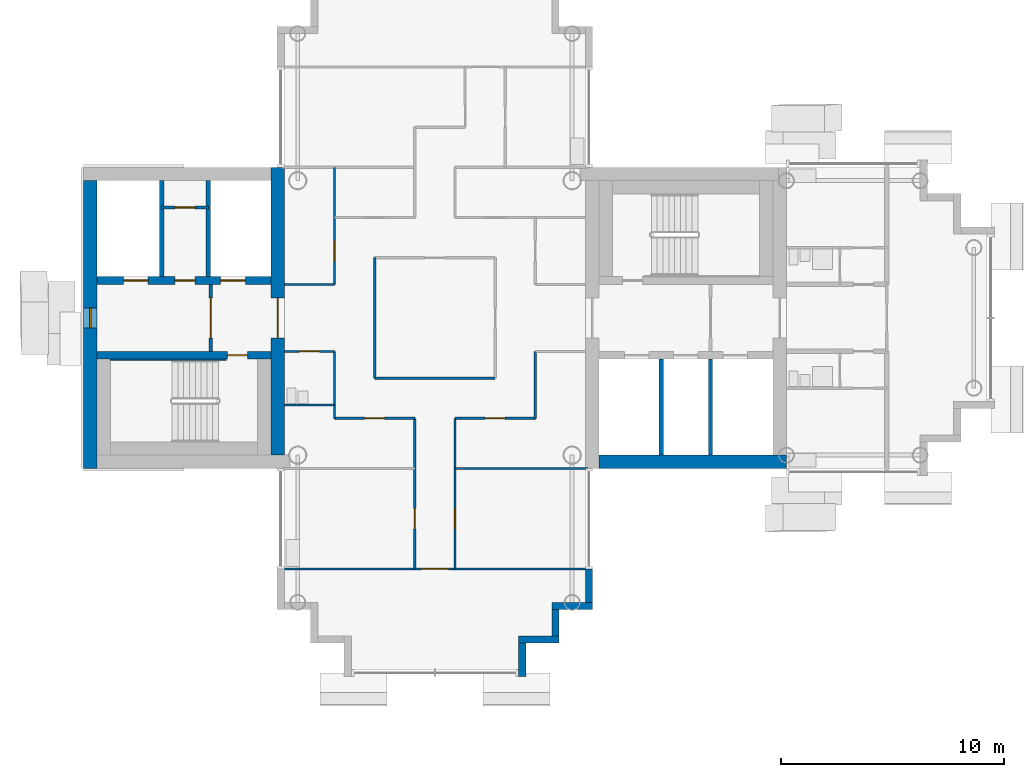
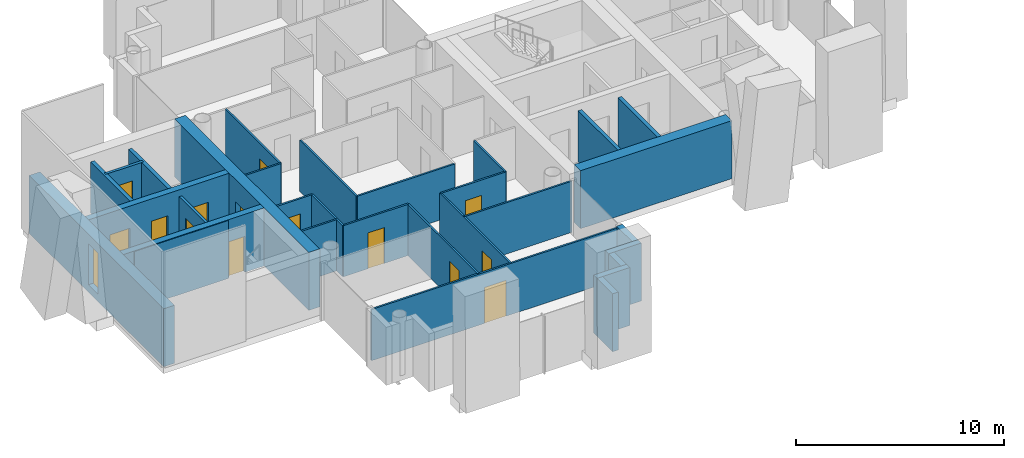
# One storey, part 6 of 18: 31 walls, 14 doors, 1 window, 15 openings.
"""IFC4 building model written with IfcOpenShell, lengths in metres."""

import ifcopenshell
import ifcopenshell.guid

model = None  # the IFC model being written
_history = None  # IfcOwnerHistory: only IFC2X3 demands one
_inside = {}  # id of a spatial element -> (the spatial element, [elements in it])
_under = {}  # id of a project, library or spatial element -> (it, [spatial elements below it])
_declared = {}  # id of a project -> (the project, [libraries it declares])
_typed = {}  # id of a type object -> (the type object, [elements of that type])
_made_of = {}  # id of a material, layer set ... -> (it, [elements and type objects made of it])


def new_model(schema):
    """Start an empty IFC model of exactly this schema.

    Asked for "IFC4X3", IfcOpenShell would pick the latest addendum, in which some entities
    have other attributes; the version numbers below select the first issue.
    IFC2X3 requires an IfcOwnerHistory on every rooted entity: one is made here for all.
    """
    global model, _history
    if schema == "IFC4X3":
        model = ifcopenshell.file(schema_version=(4, 3, 0, 0))
    else:
        model = ifcopenshell.file(schema=schema)
    _inside.clear()
    _under.clear()
    _declared.clear()
    _typed.clear()
    _made_of.clear()
    _history = None
    if model.schema == "IFC2X3":
        org = make("IfcOrganization", Name="unknown")
        user = make(
            "IfcPersonAndOrganization",
            ThePerson=make("IfcPerson", FamilyName="unknown"),
            TheOrganization=org,
        )
        app = make(
            "IfcApplication",
            ApplicationDeveloper=org,
            Version="unknown",
            ApplicationFullName="unknown",
            ApplicationIdentifier="unknown",
        )
        _history = make(
            "IfcOwnerHistory",
            OwningUser=user,
            OwningApplication=app,
            ChangeAction="ADDED",
            CreationDate=0,
        )
    return model


def make(cls, **values):
    """One entity of the class cls with the attributes given. An attribute that is None is left unset."""
    return model.create_entity(
        cls, **{name: value for name, value in values.items() if value is not None}
    )


def rooted(cls, **values):
    """An entity with a GlobalId (a new one), such as an element, a storey or a relation."""
    return make(cls, GlobalId=ifcopenshell.guid.new(), OwnerHistory=_history, **values)


def si_unit(unit_type, name, prefix=None):
    """IfcSIUnit, for example si_unit("LENGTHUNIT", "METRE", prefix="MILLI")."""
    return make("IfcSIUnit", UnitType=unit_type, Prefix=prefix, Name=name)


def assignment(units):
    """IfcUnitAssignment: the units of a project."""
    return None if units is None else make("IfcUnitAssignment", Units=units)


def point(xyz):
    """IfcCartesianPoint."""
    return None if xyz is None else make("IfcCartesianPoint", Coordinates=xyz)


def direction(xyz):
    """IfcDirection."""
    return None if xyz is None else make("IfcDirection", DirectionRatios=xyz)


def frame(location, z_axis=None, x_axis=None):
    """IfcAxis2Placement3D, a coordinate frame: its origin and axes. An axis left out is left unset."""
    return make(
        "IfcAxis2Placement3D",
        Location=point(location),
        Axis=direction(z_axis),
        RefDirection=direction(x_axis),
    )


def frame_2d(location, x_axis=None):
    """IfcAxis2Placement2D, a coordinate frame in the plane: its origin and x axis."""
    return make(
        "IfcAxis2Placement2D", Location=point(location), RefDirection=direction(x_axis)
    )


def origin():
    """The frame at (0, 0, 0) with its axes left unset."""
    return frame((0.0, 0.0, 0.0))


def place(relative_to, where):
    """IfcLocalPlacement: puts the frame where relative to a parent placement (None: the world)."""
    return make(
        "IfcLocalPlacement", PlacementRelTo=relative_to, RelativePlacement=where
    )


def context(
    kind, dimensions, precision=None, world=None, true_north=None, identifier=None
):
    """IfcGeometricRepresentationContext, for example the 3D "Model" context."""
    return make(
        "IfcGeometricRepresentationContext",
        ContextIdentifier=identifier,
        ContextType=kind,
        CoordinateSpaceDimension=dimensions,
        Precision=precision,
        WorldCoordinateSystem=world,
        TrueNorth=true_north,
    )


def subcontext(parent, identifier, kind, view, scale=None):
    """IfcGeometricRepresentationSubContext, for example "Body" below "Model"."""
    return make(
        "IfcGeometricRepresentationSubContext",
        ContextIdentifier=identifier,
        ContextType=kind,
        ParentContext=parent,
        TargetScale=scale,
        TargetView=view,
    )


def project(units=None, contexts=None):
    """IfcProject with its units and contexts."""
    return rooted(
        "IfcProject",
        Name="project",
        RepresentationContexts=contexts,
        UnitsInContext=assignment(units),
    )


def spatial(cls, under=None, at=None, **own):
    """A site, building, storey or space (cls), placed at a placement, below another one or the project."""
    s = rooted(cls, ObjectPlacement=at, **own)
    if under is not None:
        _under.setdefault(under.id(), (under, []))[1].append(s)
    return s


def profile(cls, at=None, kind="AREA", **sizes):
    """A parametric profile (cls). Its sizes go by their IFC names, for example OverallWidth=200.0."""
    return make(cls, ProfileType=kind, Position=at, **sizes)


def rectangle(**sizes):
    """IfcRectangleProfileDef."""
    return profile("IfcRectangleProfileDef", **sizes)


def extrude(swept, where, along, depth):
    """IfcExtrudedAreaSolid: the profile swept, set in the frame where, extruded along a direction by depth."""
    return make(
        "IfcExtrudedAreaSolid",
        SweptArea=swept,
        Position=where,
        ExtrudedDirection=direction(along),
        Depth=depth,
    )


def shape(context_of_items, identifier, shape_type, items):
    """IfcShapeRepresentation: the items that make up one representation, for example the "Body"."""
    return make(
        "IfcShapeRepresentation",
        ContextOfItems=context_of_items,
        RepresentationIdentifier=identifier,
        RepresentationType=shape_type,
        Items=items,
    )


def material(Name=None, Category=None):
    """IfcMaterial."""
    return make("IfcMaterial", Name=Name, Category=Category)


def layer(
    of_material, thickness, ventilated=None, Name=None, Category=None, Priority=None
):
    """IfcMaterialLayer: one layer of a wall or slab, of a material (None: an air gap)."""
    return make(
        "IfcMaterialLayer",
        Material=of_material,
        LayerThickness=thickness,
        IsVentilated=ventilated,
        Name=Name,
        Category=Category,
        Priority=Priority,
    )


def layer_set(layers, Name=None):
    """IfcMaterialLayerSet."""
    return make("IfcMaterialLayerSet", MaterialLayers=layers, LayerSetName=Name)


def made_of(thing, what):
    """Note that an element or type object is made of a material, layer set ...; save() writes the relation."""
    if what is not None:
        _made_of.setdefault(what.id(), (what, []))[1].append(thing)
    return thing


def type_object(cls, material=None, **own):
    """A type object (cls), such as IfcWallType, which elements share."""
    return made_of(rooted(cls, **own), material)


def element(
    cls,
    number,
    at=None,
    inside=None,
    cuts=None,
    type_object=None,
    material=None,
    context=None,
    identifier="Body",
    shape_type=None,
    held_by="IfcProductDefinitionShape",
    body=None,
    shapes=None,
    **own,
):
    """One element of the class cls, such as IfcWall. Its Tag is "e" and its number.

    at: its placement. inside: the storey or other place that contains it. cuts: it is an
    opening in that element (IfcRelVoidsElement). A single representation is given by context,
    identifier, shape_type and body (its items); several are given by shapes. held_by: the class
    of the entity that holds the representations. save() writes the other relations.
    """
    e = rooted(cls, Tag="e%d" % number, ObjectPlacement=at, **own)
    if body is not None:
        shapes = [shape(context, identifier, shape_type, body)]
    if shapes is not None:
        e.Representation = make(held_by, Representations=shapes)
    if inside is not None:
        _inside.setdefault(inside.id(), (inside, []))[1].append(e)
    if cuts is not None:
        rooted(
            "IfcRelVoidsElement", RelatingBuildingElement=cuts, RelatedOpeningElement=e
        )
    if type_object is not None:
        _typed.setdefault(type_object.id(), (type_object, []))[1].append(e)
    return made_of(e, material)


def fill(opening, filler):
    """IfcRelFillsElement: the door or window that sits in an opening."""
    return rooted(
        "IfcRelFillsElement",
        RelatingOpeningElement=opening,
        RelatedBuildingElement=filler,
    )


def aggregate(whole, parts):
    """IfcRelAggregates: a whole, such as a stair, and the parts it consists of."""
    return rooted("IfcRelAggregates", RelatingObject=whole, RelatedObjects=parts)


def save(model, path):
    """Write the relations noted so far, then the file.

    IfcRelAggregates (storeys below a building ...), IfcRelContainedInSpatialStructure (elements
    in a storey), IfcRelDefinesByType, IfcRelAssociatesMaterial and IfcRelDeclares: one each for
    every whole, place, type object, material and project.
    """
    for whole, parts in _under.values():
        aggregate(whole, parts)
    for where, things in _inside.values():
        rooted(
            "IfcRelContainedInSpatialStructure",
            RelatedElements=things,
            RelatingStructure=where,
        )
    for kind, things in _typed.values():
        rooted("IfcRelDefinesByType", RelatedObjects=things, RelatingType=kind)
    for what, things in _made_of.values():
        rooted("IfcRelAssociatesMaterial", RelatedObjects=things, RelatingMaterial=what)
    for by, libraries in _declared.values():
        rooted("IfcRelDeclares", RelatingContext=by, RelatedDefinitions=libraries)
    model.write(path)


model = new_model("IFC4")

# Units and contexts
model_context = context("Model", 3, precision=1e-05, world=origin(), true_north=direction((0.0, 1.0)))
body_context = subcontext(model_context, "Body", "Model", "MODEL_VIEW")
ifc_project = project(units=[si_unit("LENGTHUNIT", "METRE"), si_unit("AREAUNIT", "SQUARE_METRE"), si_unit("VOLUMEUNIT", "CUBIC_METRE"), si_unit("PLANEANGLEUNIT", "RADIAN"), si_unit("MASSUNIT", "GRAM", prefix="KILO")], contexts=[model_context])

# Site, building, storey
site_placement = place(None, origin())
site = spatial("IfcSite", under=ifc_project, at=site_placement, CompositionType="ELEMENT")
building_placement = place(site_placement, origin())
building = spatial("IfcBuilding", under=site, at=building_placement, Name="Ipe Terrace Towers", CompositionType="ELEMENT")
storey_placement = place(building_placement, frame((0.0, 0.0, 202.800048828125)))
storey = spatial("IfcBuildingStorey", under=building, at=storey_placement, Name="L56", CompositionType="ELEMENT", Elevation=202.800048828125)

# Walls
ifc_material_1 = material(Name="Concrete C40/50 with buff precast cladding", Category="concrete")
ifc_layer_1 = layer(ifc_material_1, 0.320068359375)
ifc_layer_set_1 = layer_set([ifc_layer_1], Name="BUFF CLADDING WALL 320")
wall_type_1 = type_object("IfcWallType", Name="BUFF CLADDING WALL 320", PredefinedType="STANDARD", material=ifc_layer_set_1)
wall_1_placement = place(storey_placement, frame((-32.090087890625, -16.070068359375, -0.300048828125), z_axis=(0.0, 0.0, 1.0), x_axis=(0.0, 1.0, 0.0)))
element("IfcWall", 1, at=wall_1_placement, inside=storey, type_object=wall_type_1, Name="T1-W-L56-09a wall", PredefinedType="STANDARD", context=body_context, shape_type="SweptSolid", body=[
    extrude(rectangle(XDim=1.5, YDim=0.320068359375, at=frame_2d((0.75, 0.0))), origin(), (0.0, 0.0, 1.0), 3.39990234375),
])
wall_2_placement = place(storey_placement, frame((-32.25, -14.409912109375, -0.300048828125), z_axis=(0.0, 0.0, 1.0), x_axis=(1.0, 0.0, 0.0)))
element("IfcWall", 2, at=wall_2_placement, inside=storey, type_object=wall_type_1, Name="T1-W-L56-10a wall", PredefinedType="STANDARD", context=body_context, shape_type="SweptSolid", body=[
    extrude(rectangle(XDim=1.820068359375, YDim=0.320068359375, at=frame_2d((0.91015625, 0.0))), origin(), (0.0, 0.0, 1.0), 3.39990234375),
])
wall_3_placement = place(storey_placement, frame((-30.590087890625, -14.25, -0.300048828125), z_axis=(0.0, 0.0, 1.0), x_axis=(0.0, 1.0, 0.0)))
element("IfcWall", 3, at=wall_3_placement, inside=storey, type_object=wall_type_1, Name="T1-W-L56-11a wall", PredefinedType="STANDARD", context=body_context, shape_type="SweptSolid", body=[
    extrude(rectangle(XDim=1.179931640625, YDim=0.320068359375, at=frame_2d((0.58984375, 0.0))), origin(), (0.0, 0.0, 1.0), 3.39990234375),
])
wall_4_placement = place(storey_placement, frame((-30.75, -12.909912109375, -0.300048828125), z_axis=(0.0, 0.0, 1.0), x_axis=(1.0, 0.0, 0.0)))
element("IfcWall", 4, at=wall_4_placement, inside=storey, type_object=wall_type_1, Name="T1-W-L56-12a wall", PredefinedType="STANDARD", context=body_context, shape_type="SweptSolid", body=[
    extrude(rectangle(XDim=1.820068359375, YDim=0.320068359375, at=frame_2d((0.91015625, 0.0))), origin(), (0.0, 0.0, 1.0), 3.39990234375),
])
wall_5_placement = place(storey_placement, frame((-29.090087890625, -12.75, -0.300048828125), z_axis=(0.0, 0.0, 1.0), x_axis=(0.0, 1.0, 0.0)))
element("IfcWall", 5, at=wall_5_placement, inside=storey, type_object=wall_type_1, Name="T1-W-L56-13a wall", PredefinedType="STANDARD", context=body_context, shape_type="SweptSolid", body=[
    extrude(rectangle(XDim=1.5, YDim=0.320068359375, at=frame_2d((0.75, 0.0))), origin(), (0.0, 0.0, 1.0), 3.39990234375),
])
ifc_material_2 = material(Name="Gypsum board partition", Category="plasterboard")
ifc_layer_2 = layer(ifc_material_2, 0.10009765625)
ifc_layer_set_2 = layer_set([ifc_layer_2], Name="Gypsum board partition 100 mm")
wall_type_2 = type_object("IfcWallType", Name="Gypsum board partition 100 mm", PredefinedType="PARTITIONING", material=ifc_layer_set_2)
wall_6_placement = place(storey_placement, frame((-40.5, -4.5, 0.0), z_axis=(0.0, 0.0, 1.0), x_axis=(0.0, 1.0, 0.0)))
element("IfcWall", 6, at=wall_6_placement, inside=storey, type_object=wall_type_2, Name="Gypsum board partition T1 L56 W01", PredefinedType="PARTITIONING", context=body_context, shape_type="SweptSolid", body=[
    extrude(rectangle(XDim=3.0, YDim=0.10009765625, at=frame_2d((1.5, 0.0))), origin(), (0.0, 0.0, 1.0), 3.0),
])

# Wall, opening, door
wall_7_placement = place(storey_placement, frame((-40.5, 1.5, 0.0), z_axis=(0.0, 0.0, 1.0), x_axis=(0.0, 1.0, 0.0)))
wall_7 = element("IfcWall", 7, at=wall_7_placement, inside=storey, type_object=wall_type_2, Name="Gypsum board partition T1 L56 W02", PredefinedType="PARTITIONING", context=body_context, shape_type="SweptSolid", body=[
    extrude(rectangle(XDim=5.25, YDim=0.10009765625, at=frame_2d((2.625, 0.0))), origin(), (0.0, 0.0, 1.0), 3.0),
])
opening_1_placement = place(wall_7_placement, frame((1.050048828125, 0.0, 0.0)))
opening_1 = element("IfcOpeningElement", 8, at=opening_1_placement, cuts=wall_7, Name="Opening T1-Z4D-07", PredefinedType="OPENING", context=body_context, shape_type="SweptSolid", body=[
    extrude(rectangle(XDim=0.89990234375, YDim=2.10009765625, at=frame_2d((0.449951171875, 1.050048828125))), frame((0.0, 0.06005859375, 0.0), z_axis=(0.0, -1.0, 0.0), x_axis=(1.0, 0.0, 0.0)), (0.0, 0.0, 1.0), 0.1201171875),
])
ifc_material_3 = material(Name="Timber door leaf", Category="wood")
door_type_1 = type_object("IfcDoorType", Name="Lounge door 900 x 2100", OperationType="NOTDEFINED", PredefinedType="DOOR", material=ifc_material_3)
door_1_placement = place(opening_1_placement, origin())
door_1 = element("IfcDoor", 9, at=door_1_placement, inside=storey, type_object=door_type_1, Name="Lounge door T1-Z4D-07", OperationType="SINGLE_SWING_RIGHT", OverallHeight=2.10009765625, OverallWidth=0.89990234375, PredefinedType="DOOR", context=body_context, shape_type="SweptSolid", body=[
    extrude(rectangle(XDim=0.89990234375, YDim=2.10009765625, at=frame_2d((0.449951171875, 1.050048828125))), frame((0.0, 0.02490234375, 0.0), z_axis=(0.0, -1.0, 0.0), x_axis=(1.0, 0.0, 0.0)), (0.0, 0.0, 1.0), 0.050048828125),
])
fill(opening_1, door_1)

# Wall
wall_8_placement = place(storey_placement, frame((-38.699951171875, -2.699951171875, 0.0), z_axis=(0.0, 0.0, 1.0), x_axis=(0.0, 1.0, 0.0)))
element("IfcWall", 10, at=wall_8_placement, inside=storey, type_object=wall_type_2, Name="Gypsum board partition T1 L56 W03", PredefinedType="PARTITIONING", context=body_context, shape_type="SweptSolid", body=[
    extrude(rectangle(XDim=5.39990234375, YDim=0.10009765625, at=frame_2d((2.699951171875, 0.0))), origin(), (0.0, 0.0, 1.0), 3.0),
])

# Wall, opening, door
wall_9_placement = place(storey_placement, frame((-36.89990234375, -11.25, 0.0), z_axis=(0.0, 0.0, 1.0), x_axis=(0.0, 1.0, 0.0)))
wall_9 = element("IfcWall", 11, at=wall_9_placement, inside=storey, type_object=wall_type_2, Name="Gypsum board partition T1 L56 W04", PredefinedType="PARTITIONING", context=body_context, shape_type="SweptSolid", body=[
    extrude(rectangle(XDim=6.75, YDim=0.10009765625, at=frame_2d((3.375, 0.0))), origin(), (0.0, 0.0, 1.0), 3.0),
])
opening_2_placement = place(wall_9_placement, frame((1.800048828125, 0.0, 0.0)))
opening_2 = element("IfcOpeningElement", 12, at=opening_2_placement, cuts=wall_9, Name="Opening T1-Z4D-14", PredefinedType="OPENING", context=body_context, shape_type="SweptSolid", body=[
    extrude(rectangle(XDim=0.89990234375, YDim=2.10009765625, at=frame_2d((0.449951171875, 1.050048828125))), frame((0.0, 0.06005859375, 0.0), z_axis=(0.0, -1.0, 0.0), x_axis=(1.0, 0.0, 0.0)), (0.0, 0.0, 1.0), 0.1201171875),
])
door_2_placement = place(opening_2_placement, origin())
door_2 = element("IfcDoor", 13, at=door_2_placement, inside=storey, type_object=door_type_1, Name="Lounge door T1-Z4D-14", OperationType="SINGLE_SWING_RIGHT", OverallHeight=2.10009765625, OverallWidth=0.89990234375, PredefinedType="DOOR", context=body_context, shape_type="SweptSolid", body=[
    extrude(rectangle(XDim=0.89990234375, YDim=2.10009765625, at=frame_2d((0.449951171875, 1.050048828125))), frame((0.0, 0.02490234375, 0.0), z_axis=(0.0, -1.0, 0.0), x_axis=(1.0, 0.0, 0.0)), (0.0, 0.0, 1.0), 0.050048828125),
])
fill(opening_2, door_2)

wall_10_placement = place(storey_placement, frame((-35.10009765625, -11.25, 0.0), z_axis=(0.0, 0.0, 1.0), x_axis=(0.0, 1.0, 0.0)))
wall_10 = element("IfcWall", 14, at=wall_10_placement, inside=storey, type_object=wall_type_2, Name="Gypsum board partition T1 L56 W06", PredefinedType="PARTITIONING", context=body_context, shape_type="SweptSolid", body=[
    extrude(rectangle(XDim=6.75, YDim=0.10009765625, at=frame_2d((3.375, 0.0))), origin(), (0.0, 0.0, 1.0), 3.0),
])
opening_3_placement = place(wall_10_placement, frame((1.800048828125, 0.0, 0.0)))
opening_3 = element("IfcOpeningElement", 15, at=opening_3_placement, cuts=wall_10, Name="Opening T1-Z4D-13", PredefinedType="OPENING", context=body_context, shape_type="SweptSolid", body=[
    extrude(rectangle(XDim=0.89990234375, YDim=2.10009765625, at=frame_2d((0.449951171875, 1.050048828125))), frame((0.0, 0.06005859375, 0.0), z_axis=(0.0, -1.0, 0.0), x_axis=(1.0, 0.0, 0.0)), (0.0, 0.0, 1.0), 0.1201171875),
])
door_3_placement = place(opening_3_placement, origin())
door_3 = element("IfcDoor", 16, at=door_3_placement, inside=storey, type_object=door_type_1, Name="Lounge door T1-Z4D-13", OperationType="SINGLE_SWING_LEFT", OverallHeight=2.10009765625, OverallWidth=0.89990234375, PredefinedType="DOOR", context=body_context, shape_type="SweptSolid", body=[
    extrude(rectangle(XDim=0.89990234375, YDim=2.10009765625, at=frame_2d((0.449951171875, 1.050048828125))), frame((0.0, 0.02490234375, 0.0), z_axis=(0.0, -1.0, 0.0), x_axis=(1.0, 0.0, 0.0)), (0.0, 0.0, 1.0), 0.050048828125),
])
fill(opening_3, door_3)

# Wall
wall_11_placement = place(storey_placement, frame((-31.5, -4.5, 0.0), z_axis=(0.0, 0.0, 1.0), x_axis=(0.0, 1.0, 0.0)))
element("IfcWall", 17, at=wall_11_placement, inside=storey, type_object=wall_type_2, Name="Gypsum board partition T1 L56 W11", PredefinedType="PARTITIONING", context=body_context, shape_type="SweptSolid", body=[
    extrude(rectangle(XDim=3.0, YDim=0.10009765625, at=frame_2d((1.5, 0.0))), origin(), (0.0, 0.0, 1.0), 3.0),
])

# Wall, opening, door
wall_12_placement = place(storey_placement, frame((-42.85009765625, -11.25, 0.0), z_axis=(0.0, 0.0, 1.0), x_axis=(1.0, 0.0, 0.0)))
wall_12 = element("IfcWall", 18, at=wall_12_placement, inside=storey, type_object=wall_type_2, Name="Gypsum board partition T1 L56 W18", PredefinedType="PARTITIONING", context=body_context, shape_type="SweptSolid", body=[
    extrude(rectangle(XDim=13.7001953125, YDim=0.10009765625, at=frame_2d((6.85009765625, 0.0))), origin(), (0.0, 0.0, 1.0), 3.0),
])
opening_4_placement = place(wall_12_placement, frame((6.25, 0.0, 0.0)))
opening_4 = element("IfcOpeningElement", 19, at=opening_4_placement, cuts=wall_12, Name="Opening T1-Z4D-15", PredefinedType="OPENING", context=body_context, shape_type="SweptSolid", body=[
    extrude(rectangle(XDim=1.199951171875, YDim=2.10009765625, at=frame_2d((0.60009765625, 1.050048828125))), frame((0.0, 0.06005859375, 0.0), z_axis=(0.0, -1.0, 0.0), x_axis=(1.0, 0.0, 0.0)), (0.0, 0.0, 1.0), 0.1201171875),
])
ifc_material_4 = material(Name="Timber door leaf", Category="wood")
door_type_2 = type_object("IfcDoorType", Name="Lounge door 1200 x 2100", OperationType="NOTDEFINED", PredefinedType="DOOR", material=ifc_material_4)
door_4_placement = place(opening_4_placement, origin())
door_4 = element("IfcDoor", 20, at=door_4_placement, inside=storey, type_object=door_type_2, Name="Lounge door T1-Z4D-15", OperationType="SINGLE_SWING_RIGHT", OverallHeight=2.10009765625, OverallWidth=1.199951171875, PredefinedType="DOOR", context=body_context, shape_type="SweptSolid", body=[
    extrude(rectangle(XDim=1.199951171875, YDim=2.10009765625, at=frame_2d((0.60009765625, 1.050048828125))), frame((0.0, 0.02490234375, 0.0), z_axis=(0.0, -1.0, 0.0), x_axis=(1.0, 0.0, 0.0)), (0.0, 0.0, 1.0), 0.050048828125),
])
fill(opening_4, door_4)

# Wall
wall_13_placement = place(storey_placement, frame((-35.10009765625, -6.75, 0.0), z_axis=(0.0, 0.0, 1.0), x_axis=(1.0, 0.0, 0.0)))
element("IfcWall", 21, at=wall_13_placement, inside=storey, type_object=wall_type_2, Name="Gypsum board partition T1 L56 W20", PredefinedType="PARTITIONING", context=body_context, shape_type="SweptSolid", body=[
    extrude(rectangle(XDim=5.9501953125, YDim=0.10009765625, at=frame_2d((2.97509765625, 0.0))), origin(), (0.0, 0.0, 1.0), 3.0),
])

# Wall, opening, door
wall_14_placement = place(storey_placement, frame((-40.5, -4.5, 0.0), z_axis=(0.0, 0.0, 1.0), x_axis=(1.0, 0.0, 0.0)))
wall_14 = element("IfcWall", 22, at=wall_14_placement, inside=storey, type_object=wall_type_2, Name="Gypsum board partition T1 L56 W21", PredefinedType="PARTITIONING", context=body_context, shape_type="SweptSolid", body=[
    extrude(rectangle(XDim=3.60009765625, YDim=0.10009765625, at=frame_2d((1.800048828125, 0.0))), origin(), (0.0, 0.0, 1.0), 3.0),
])
opening_5_placement = place(wall_14_placement, frame((1.35009765625, 0.0, 0.0)))
opening_5 = element("IfcOpeningElement", 23, at=opening_5_placement, cuts=wall_14, Name="Opening T1-Z4D-08", PredefinedType="OPENING", context=body_context, shape_type="SweptSolid", body=[
    extrude(rectangle(XDim=0.89990234375, YDim=2.10009765625, at=frame_2d((0.449951171875, 1.050048828125))), frame((0.0, 0.06005859375, 0.0), z_axis=(0.0, -1.0, 0.0), x_axis=(1.0, 0.0, 0.0)), (0.0, 0.0, 1.0), 0.1201171875),
])
door_5_placement = place(opening_5_placement, origin())
door_5 = element("IfcDoor", 24, at=door_5_placement, inside=storey, type_object=door_type_1, Name="Lounge door T1-Z4D-08", OperationType="SINGLE_SWING_LEFT", OverallHeight=2.10009765625, OverallWidth=0.89990234375, PredefinedType="DOOR", context=body_context, shape_type="SweptSolid", body=[
    extrude(rectangle(XDim=0.89990234375, YDim=2.10009765625, at=frame_2d((0.449951171875, 1.050048828125))), frame((0.0, 0.02490234375, 0.0), z_axis=(0.0, -1.0, 0.0), x_axis=(1.0, 0.0, 0.0)), (0.0, 0.0, 1.0), 0.050048828125),
])
fill(opening_5, door_5)

wall_15_placement = place(storey_placement, frame((-35.10009765625, -4.5, 0.0), z_axis=(0.0, 0.0, 1.0), x_axis=(1.0, 0.0, 0.0)))
wall_15 = element("IfcWall", 25, at=wall_15_placement, inside=storey, type_object=wall_type_2, Name="Gypsum board partition T1 L56 W22", PredefinedType="PARTITIONING", context=body_context, shape_type="SweptSolid", body=[
    extrude(rectangle(XDim=3.60009765625, YDim=0.10009765625, at=frame_2d((1.800048828125, 0.0))), origin(), (0.0, 0.0, 1.0), 3.0),
])
opening_6_placement = place(wall_15_placement, frame((1.35009765625, 0.0, 0.0)))
opening_6 = element("IfcOpeningElement", 26, at=opening_6_placement, cuts=wall_15, Name="Opening T1-Z4D-09", PredefinedType="OPENING", context=body_context, shape_type="SweptSolid", body=[
    extrude(rectangle(XDim=0.89990234375, YDim=2.10009765625, at=frame_2d((0.449951171875, 1.050048828125))), frame((0.0, 0.06005859375, 0.0), z_axis=(0.0, -1.0, 0.0), x_axis=(1.0, 0.0, 0.0)), (0.0, 0.0, 1.0), 0.1201171875),
])
door_6_placement = place(opening_6_placement, origin())
door_6 = element("IfcDoor", 27, at=door_6_placement, inside=storey, type_object=door_type_1, Name="Lounge door T1-Z4D-09", OperationType="SINGLE_SWING_LEFT", OverallHeight=2.10009765625, OverallWidth=0.89990234375, PredefinedType="DOOR", context=body_context, shape_type="SweptSolid", body=[
    extrude(rectangle(XDim=0.89990234375, YDim=2.10009765625, at=frame_2d((0.449951171875, 1.050048828125))), frame((0.0, 0.02490234375, 0.0), z_axis=(0.0, -1.0, 0.0), x_axis=(1.0, 0.0, 0.0)), (0.0, 0.0, 1.0), 0.050048828125),
])
fill(opening_6, door_6)

# Walls
wall_16_placement = place(storey_placement, frame((-42.75, -3.89990234375, 0.0), z_axis=(0.0, 0.0, 1.0), x_axis=(1.0, 0.0, 0.0)))
element("IfcWall", 28, at=wall_16_placement, inside=storey, type_object=wall_type_2, Name="Gypsum board partition T1 L56 W23", PredefinedType="PARTITIONING", context=body_context, shape_type="SweptSolid", body=[
    extrude(rectangle(XDim=2.25, YDim=0.10009765625, at=frame_2d((1.125, 0.0))), origin(), (0.0, 0.0, 1.0), 3.0),
])
wall_17_placement = place(storey_placement, frame((-38.699951171875, -2.699951171875, 0.0), z_axis=(0.0, 0.0, 1.0), x_axis=(1.0, 0.0, 0.0)))
element("IfcWall", 29, at=wall_17_placement, inside=storey, type_object=wall_type_2, Name="Gypsum board partition T1 L56 W25", PredefinedType="PARTITIONING", context=body_context, shape_type="SweptSolid", body=[
    extrude(rectangle(XDim=5.39990234375, YDim=0.10009765625, at=frame_2d((2.699951171875, 0.0))), origin(), (0.0, 0.0, 1.0), 3.0),
])

# Wall, opening, door
wall_18_placement = place(storey_placement, frame((-42.75, -1.5, 0.0), z_axis=(0.0, 0.0, 1.0), x_axis=(1.0, 0.0, 0.0)))
wall_18 = element("IfcWall", 30, at=wall_18_placement, inside=storey, type_object=wall_type_2, Name="Gypsum board partition T1 L56 W26", PredefinedType="PARTITIONING", context=body_context, shape_type="SweptSolid", body=[
    extrude(rectangle(XDim=2.25, YDim=0.10009765625, at=frame_2d((1.125, 0.0))), origin(), (0.0, 0.0, 1.0), 3.0),
])
opening_7_placement = place(wall_18_placement, frame((0.675048828125, 0.0, 0.0)))
opening_7 = element("IfcOpeningElement", 31, at=opening_7_placement, cuts=wall_18, Name="Opening T1-Z4D-03", PredefinedType="OPENING", context=body_context, shape_type="SweptSolid", body=[
    extrude(rectangle(XDim=0.89990234375, YDim=2.10009765625, at=frame_2d((0.449951171875, 1.050048828125))), frame((0.0, 0.06005859375, 0.0), z_axis=(0.0, -1.0, 0.0), x_axis=(1.0, 0.0, 0.0)), (0.0, 0.0, 1.0), 0.1201171875),
])
ifc_material_5 = material(Name="Timber door leaf", Category="wood")
door_type_3 = type_object("IfcDoorType", Name="Bathroom door 900 x 2100", OperationType="NOTDEFINED", PredefinedType="DOOR", material=ifc_material_5)
door_7_placement = place(opening_7_placement, origin())
door_7 = element("IfcDoor", 32, at=door_7_placement, inside=storey, type_object=door_type_3, Name="Bathroom door T1-Z4D-03", OperationType="SINGLE_SWING_RIGHT", OverallHeight=2.10009765625, OverallWidth=0.89990234375, PredefinedType="DOOR", context=body_context, shape_type="SweptSolid", body=[
    extrude(rectangle(XDim=0.89990234375, YDim=2.10009765625, at=frame_2d((0.449951171875, 1.050048828125))), frame((0.0, 0.02490234375, 0.0), z_axis=(0.0, -1.0, 0.0), x_axis=(1.0, 0.0, 0.0)), (0.0, 0.0, 1.0), 0.050048828125),
])
fill(opening_7, door_7)

# Wall
wall_19_placement = place(storey_placement, frame((-42.75, 1.5, 0.0), z_axis=(0.0, 0.0, 1.0), x_axis=(1.0, 0.0, 0.0)))
element("IfcWall", 33, at=wall_19_placement, inside=storey, type_object=wall_type_2, Name="Gypsum board partition T1 L56 W29", PredefinedType="PARTITIONING", context=body_context, shape_type="SweptSolid", body=[
    extrude(rectangle(XDim=2.25, YDim=0.10009765625, at=frame_2d((1.125, 0.0))), origin(), (0.0, 0.0, 1.0), 3.0),
])

# Wall, opening, door
ifc_material_6 = material(Name="Gypsum board partition", Category="plasterboard")
ifc_layer_3 = layer(ifc_material_6, 0.14990234375)
ifc_layer_set_3 = layer_set([ifc_layer_3], Name="Gypsum board partition 150 mm")
wall_type_3 = type_object("IfcWallType", Name="Gypsum board partition 150 mm", PredefinedType="PARTITIONING", material=ifc_layer_set_3)
wall_20_placement = place(storey_placement, frame((-46.050048828125, 1.5, 0.0), z_axis=(0.0, 0.0, 1.0), x_axis=(0.0, -1.0, 0.0)))
wall_20 = element("IfcWall", 34, at=wall_20_placement, inside=storey, type_object=wall_type_3, Name="Gypsum board partition T1 L56 t1c2-lobby-wall", PredefinedType="PARTITIONING", context=body_context, shape_type="SweptSolid", body=[
    extrude(rectangle(XDim=3.0, YDim=0.14990234375, at=frame_2d((1.5, 0.0))), origin(), (0.0, 0.0, 1.0), 3.0),
])
opening_8_placement = place(wall_20_placement, frame((0.60009765625, 0.0, 0.0)))
opening_8 = element("IfcOpeningElement", 35, at=opening_8_placement, cuts=wall_20, Name="Opening T1C2-VD", PredefinedType="OPENING", context=body_context, shape_type="SweptSolid", body=[
    extrude(rectangle(XDim=1.800048828125, YDim=2.10009765625, at=frame_2d((0.89990234375, 1.050048828125))), frame((0.0, 0.0849609375, 0.0), z_axis=(0.0, -1.0, 0.0), x_axis=(1.0, 0.0, 0.0)), (0.0, 0.0, 1.0), 0.169921875),
])
ifc_material_7 = material(Name="Fire-rated timber door leaf", Category="wood")
door_type_4 = type_object("IfcDoorType", Name="Lobby door 1800 x 2100 FD60", OperationType="NOTDEFINED", PredefinedType="DOOR", material=ifc_material_7)
door_8_placement = place(opening_8_placement, origin())
door_8 = element("IfcDoor", 36, at=door_8_placement, inside=storey, type_object=door_type_4, Name="Lobby door T1C2-VD", OperationType="SINGLE_SWING_LEFT", OverallHeight=2.10009765625, OverallWidth=1.800048828125, PredefinedType="DOOR", context=body_context, shape_type="SweptSolid", body=[
    extrude(rectangle(XDim=1.800048828125, YDim=2.10009765625, at=frame_2d((0.89990234375, 1.050048828125))), frame((0.0, 0.02490234375, 0.0), z_axis=(0.0, -1.0, 0.0), x_axis=(1.0, 0.0, 0.0)), (0.0, 0.0, 1.0), 0.050048828125),
])
fill(opening_8, door_8)

wall_21_placement = place(storey_placement, frame((-46.14990234375, 4.949951171875, 0.0), z_axis=(0.0, 0.0, 1.0), x_axis=(-1.0, 0.0, 0.0)))
wall_21 = element("IfcWall", 37, at=wall_21_placement, inside=storey, type_object=wall_type_3, Name="Gypsum board partition T1 L56 t1c2-q-back", PredefinedType="PARTITIONING", context=body_context, shape_type="SweptSolid", body=[
    extrude(rectangle(XDim=2.10009765625, YDim=0.14990234375, at=frame_2d((1.050048828125, 0.0))), origin(), (0.0, 0.0, 1.0), 3.0),
])
opening_9_placement = place(wall_21_placement, frame((0.60009765625, 0.0, 0.0)))
opening_9 = element("IfcOpeningElement", 38, at=opening_9_placement, cuts=wall_21, Name="Opening T1C2-RB", PredefinedType="OPENING", context=body_context, shape_type="SweptSolid", body=[
    extrude(rectangle(XDim=0.89990234375, YDim=2.10009765625, at=frame_2d((0.449951171875, 1.050048828125))), frame((0.0, 0.0849609375, 0.0), z_axis=(0.0, -1.0, 0.0), x_axis=(1.0, 0.0, 0.0)), (0.0, 0.0, 1.0), 0.169921875),
])
ifc_material_8 = material(Name="Fire-rated timber door leaf", Category="wood")
door_type_5 = type_object("IfcDoorType", Name="Service door 900 x 2100 FD60", OperationType="NOTDEFINED", PredefinedType="DOOR", material=ifc_material_8)
door_9_placement = place(opening_9_placement, origin())
door_9 = element("IfcDoor", 39, at=door_9_placement, inside=storey, type_object=door_type_5, Name="Service door T1C2-RB", OperationType="SINGLE_SWING_LEFT", OverallHeight=2.10009765625, OverallWidth=0.89990234375, PredefinedType="DOOR", context=body_context, shape_type="SweptSolid", body=[
    extrude(rectangle(XDim=0.89990234375, YDim=2.10009765625, at=frame_2d((0.449951171875, 1.050048828125))), frame((0.0, 0.02490234375, 0.0), z_axis=(0.0, -1.0, 0.0), x_axis=(1.0, 0.0, 0.0)), (0.0, 0.0, 1.0), 0.050048828125),
])
fill(opening_9, door_9)

# Walls
ifc_material_9 = material(Name="Gypsum board party wall", Category="plasterboard")
ifc_layer_4 = layer(ifc_material_9, 0.199951171875)
ifc_layer_set_4 = layer_set([ifc_layer_4], Name="Gypsum board party wall 200 mm")
wall_type_4 = type_object("IfcWallType", Name="Gypsum board party wall 200 mm", PredefinedType="SOLIDWALL", material=ifc_layer_set_4)
for number, where, z_axis, x_axis, name in (
    (40, (-25.85009765625, -6.14990234375, 0.0), (0.0, 0.0, 1.0), (0.0, 1.0, 0.0), "Gypsum board party wall T1 L56 t1c1-shaft-div1"),
    (41, (-23.64990234375, -6.14990234375, 0.0), (0.0, 0.0, 1.0), (0.0, 1.0, 0.0), "Gypsum board party wall T1 L56 t1c1-shaft-div2"),
    (42, (-48.25, 6.14990234375, 0.0), (0.0, 0.0, 1.0), (0.0, -1.0, 0.0), "Gypsum board party wall T1 L56 t1c2-shaft-div2"),
    (43, (-46.14990234375, 6.14990234375, 0.0), (0.0, 0.0, 1.0), (0.0, -1.0, 0.0), "Gypsum board party wall T1 L56 t1c2-shaft-div1"),
):
    element("IfcWall", number, at=place(storey_placement, frame(where, z_axis=z_axis, x_axis=x_axis)), inside=storey, type_object=wall_type_4, Name=name, PredefinedType="SOLIDWALL", context=body_context, shape_type="SweptSolid", body=[
        extrude(rectangle(XDim=4.2998046875, YDim=0.199951171875, at=frame_2d((2.14990234375, 0.0))), origin(), (0.0, 0.0, 1.0), 3.0),
    ])

# Wall, opening, door
ifc_material_10 = material(Name="Concrete C40/50", Category="concrete")
ifc_layer_5 = layer(ifc_material_10, 0.35009765625)
ifc_layer_set_5 = layer_set([ifc_layer_5], Name="RW350 CORE SPINE WALL 350 C40-50")
wall_type_5 = type_object("IfcWallType", Name="RW350 CORE SPINE WALL 350 C40-50", PredefinedType="SHEAR", material=ifc_layer_set_5)
wall_22_placement = place(storey_placement, frame((-51.14990234375, -1.675048828125, 0.0), z_axis=(0.0, 0.0, 1.0), x_axis=(1.0, 0.0, 0.0)))
wall_22 = element("IfcWall", 44, at=wall_22_placement, inside=storey, type_object=wall_type_5, Name="Core spine wall T1-C2-Z4-SW1", PredefinedType="SHEAR", context=body_context, shape_type="SweptSolid", body=[
    extrude(rectangle(XDim=7.7998046875, YDim=0.35009765625, at=frame_2d((3.89990234375, 0.0))), origin(), (0.0, 0.0, 1.0), 3.39990234375),
])
opening_10_placement = place(wall_22_placement, frame((5.85009765625, 0.0, 0.0)))
opening_10 = element("IfcOpeningElement", 45, at=opening_10_placement, cuts=wall_22, Name="Opening T1C2-SD", PredefinedType="OPENING", context=body_context, shape_type="SweptSolid", body=[
    extrude(rectangle(XDim=0.89990234375, YDim=2.10009765625, at=frame_2d((0.449951171875, 1.050048828125))), frame((0.0, 0.18505859375, 0.0), z_axis=(0.0, -1.0, 0.0), x_axis=(1.0, 0.0, 0.0)), (0.0, 0.0, 1.0), 0.3701171875),
])
ifc_material_11 = material(Name="Fire-rated timber door leaf", Category="wood")
door_type_6 = type_object("IfcDoorType", Name="Stair door 900 x 2100 FD60", OperationType="NOTDEFINED", PredefinedType="DOOR", material=ifc_material_11)
door_10_placement = place(opening_10_placement, origin())
door_10 = element("IfcDoor", 46, at=door_10_placement, inside=storey, type_object=door_type_6, Name="Stair door T1C2-SD", OperationType="SINGLE_SWING_RIGHT", OverallHeight=2.10009765625, OverallWidth=0.89990234375, PredefinedType="DOOR", context=body_context, shape_type="SweptSolid", body=[
    extrude(rectangle(XDim=0.89990234375, YDim=2.10009765625, at=frame_2d((0.449951171875, 1.050048828125))), frame((0.0, 0.02490234375, 0.0), z_axis=(0.0, -1.0, 0.0), x_axis=(1.0, 0.0, 0.0)), (0.0, 0.0, 1.0), 0.050048828125),
])
fill(opening_10, door_10)

# Wall, openings, doors
wall_23_placement = place(storey_placement, frame((-51.14990234375, 1.675048828125, 0.0), z_axis=(0.0, 0.0, 1.0), x_axis=(1.0, 0.0, 0.0)))
wall_23 = element("IfcWall", 47, at=wall_23_placement, inside=storey, type_object=wall_type_5, Name="Core spine wall T1-C2-Z4-SW2", PredefinedType="SHEAR", context=body_context, shape_type="SweptSolid", body=[
    extrude(rectangle(XDim=7.7998046875, YDim=0.35009765625, at=frame_2d((3.89990234375, 0.0))), origin(), (0.0, 0.0, 1.0), 3.39990234375),
])
opening_11_placement = place(wall_23_placement, frame((5.550048828125, 0.0, 0.0)))
opening_11 = element("IfcOpeningElement", 48, at=opening_11_placement, cuts=wall_23, Name="Opening T1C2-LD1", PredefinedType="OPENING", context=body_context, shape_type="SweptSolid", body=[
    extrude(rectangle(XDim=1.10009765625, YDim=2.10009765625, at=frame_2d((0.550048828125, 1.050048828125))), frame((0.0, 0.18505859375, 0.0), z_axis=(0.0, -1.0, 0.0), x_axis=(1.0, 0.0, 0.0)), (0.0, 0.0, 1.0), 0.3701171875),
])
opening_12_placement = place(wall_23_placement, frame((1.199951171875, 0.0, 0.0)))
opening_12 = element("IfcOpeningElement", 49, at=opening_12_placement, cuts=wall_23, Name="Opening T1C2-LD3", PredefinedType="OPENING", context=body_context, shape_type="SweptSolid", body=[
    extrude(rectangle(XDim=1.10009765625, YDim=2.10009765625, at=frame_2d((0.550048828125, 1.050048828125))), frame((0.0, 0.18505859375, 0.0), z_axis=(0.0, -1.0, 0.0), x_axis=(1.0, 0.0, 0.0)), (0.0, 0.0, 1.0), 0.3701171875),
])
opening_13_placement = place(wall_23_placement, frame((3.5, 0.0, 0.0)))
opening_13 = element("IfcOpeningElement", 50, at=opening_13_placement, cuts=wall_23, Name="Opening T1C2-R1", PredefinedType="OPENING", context=body_context, shape_type="SweptSolid", body=[
    extrude(rectangle(XDim=0.89990234375, YDim=2.10009765625, at=frame_2d((0.449951171875, 1.050048828125))), frame((0.0, 0.18505859375, 0.0), z_axis=(0.0, -1.0, 0.0), x_axis=(1.0, 0.0, 0.0)), (0.0, 0.0, 1.0), 0.3701171875),
])
ifc_material_12 = material(Name="Fire-rated timber door leaf", Category="wood")
door_type_7 = type_object("IfcDoorType", Name="Sliding door 1100 x 2100 FD60", OperationType="SLIDING_TO_LEFT", PredefinedType="DOOR", material=ifc_material_12)
door_11_placement = place(opening_11_placement, origin())
door_11 = element("IfcDoor", 51, at=door_11_placement, inside=storey, type_object=door_type_7, Name="Sliding door T1C2-LD1", OperationType="SLIDING_TO_LEFT", OverallHeight=2.10009765625, OverallWidth=1.10009765625, PredefinedType="DOOR", context=body_context, shape_type="SweptSolid", body=[
    extrude(rectangle(XDim=1.10009765625, YDim=2.10009765625, at=frame_2d((0.550048828125, 1.050048828125))), frame((0.0, 0.02490234375, 0.0), z_axis=(0.0, -1.0, 0.0), x_axis=(1.0, 0.0, 0.0)), (0.0, 0.0, 1.0), 0.050048828125),
])
fill(opening_11, door_11)
door_12_placement = place(opening_12_placement, origin())
door_12 = element("IfcDoor", 52, at=door_12_placement, inside=storey, type_object=door_type_7, Name="Sliding door T1C2-LD3", OperationType="SLIDING_TO_LEFT", OverallHeight=2.10009765625, OverallWidth=1.10009765625, PredefinedType="DOOR", context=body_context, shape_type="SweptSolid", body=[
    extrude(rectangle(XDim=1.10009765625, YDim=2.10009765625, at=frame_2d((0.550048828125, 1.050048828125))), frame((0.0, 0.02490234375, 0.0), z_axis=(0.0, -1.0, 0.0), x_axis=(1.0, 0.0, 0.0)), (0.0, 0.0, 1.0), 0.050048828125),
])
fill(opening_12, door_12)
ifc_material_13 = material(Name="Fire-rated timber door leaf", Category="wood")
door_type_8 = type_object("IfcDoorType", Name="Store door 900 x 2100 FD30S", OperationType="NOTDEFINED", PredefinedType="DOOR", material=ifc_material_13)
door_13_placement = place(opening_13_placement, origin())
door_13 = element("IfcDoor", 53, at=door_13_placement, inside=storey, type_object=door_type_8, Name="Store door T1C2-R1", OperationType="SINGLE_SWING_LEFT", OverallHeight=2.10009765625, OverallWidth=0.89990234375, PredefinedType="DOOR", context=body_context, shape_type="SweptSolid", body=[
    extrude(rectangle(XDim=0.89990234375, YDim=2.10009765625, at=frame_2d((0.449951171875, 1.050048828125))), frame((0.0, 0.02490234375, 0.0), z_axis=(0.0, -1.0, 0.0), x_axis=(1.0, 0.0, 0.0)), (0.0, 0.0, 1.0), 0.050048828125),
])
fill(opening_13, door_13)

# Walls
ifc_material_14 = material(Name="Concrete C40/50", Category="concrete")
ifc_layer_6 = layer(ifc_material_14, 0.050048828125)
ifc_layer_set_6 = layer_set([ifc_layer_6], Name="RW50 CORE INFILL WALL 50 C40-50")
wall_type_6 = type_object("IfcWallType", Name="RW50 CORE INFILL WALL 50 C40-50", PredefinedType="SHEAR", material=ifc_layer_set_6)
wall_24_placement = place(storey_placement, frame((-45.35009765625, -1.875, 0.0), z_axis=(0.0, 0.0, 1.0), x_axis=(-1.0, 0.0, 0.0)))
element("IfcWall", 54, at=wall_24_placement, inside=storey, type_object=wall_type_6, Name="Core infill wall T1-C2-spine-b", PredefinedType="SHEAR", context=body_context, shape_type="SweptSolid", body=[
    extrude(rectangle(XDim=5.199951171875, YDim=0.050048828125, at=frame_2d((2.60009765625, 0.0))), origin(), (0.0, 0.0, 1.0), 3.39990234375),
])
ifc_material_15 = material(Name="Concrete C40/50", Category="concrete")
ifc_layer_7 = layer(ifc_material_15, 0.60009765625)
ifc_layer_set_7 = layer_set([ifc_layer_7], Name="RW600 CORE WALL 600 C40-50")
wall_type_7 = type_object("IfcWallType", Name="RW600 CORE WALL 600 C40-50", PredefinedType="SHEAR", material=ifc_layer_set_7)
wall_25_placement = place(storey_placement, frame((-28.64990234375, -6.449951171875, 0.0), z_axis=(0.0, 0.0, 1.0), x_axis=(1.0, 0.0, 0.0)))
element("IfcWall", 55, at=wall_25_placement, inside=storey, type_object=wall_type_7, Name="Core wall T1-C1-Z4-W01", PredefinedType="SHEAR", context=body_context, shape_type="SweptSolid", body=[
    extrude(rectangle(XDim=8.39990234375, YDim=0.60009765625, at=frame_2d((4.199951171875, 0.0))), origin(), (0.0, 0.0, 1.0), 3.39990234375),
])

# Wall, opening, door
wall_26_placement = place(storey_placement, frame((-43.050048828125, -6.14990234375, 0.0), z_axis=(0.0, 0.0, 1.0), x_axis=(0.0, 1.0, 0.0)))
wall_26 = element("IfcWall", 56, at=wall_26_placement, inside=storey, type_object=wall_type_7, Name="Core wall T1-C2-Z4-W02", PredefinedType="SHEAR", context=body_context, shape_type="SweptSolid", body=[
    extrude(rectangle(XDim=12.89990234375, YDim=0.60009765625, at=frame_2d((6.449951171875, 0.0))), origin(), (0.0, 0.0, 1.0), 3.39990234375),
])
opening_14_placement = place(wall_26_placement, frame((5.25, 0.0, 0.0)))
opening_14 = element("IfcOpeningElement", 57, at=opening_14_placement, cuts=wall_26, Name="Opening T1C2-ND", PredefinedType="OPENING", context=body_context, shape_type="SweptSolid", body=[
    extrude(rectangle(XDim=1.800048828125, YDim=2.10009765625, at=frame_2d((0.89990234375, 1.050048828125))), frame((0.0, 0.31005859375, 0.0), z_axis=(0.0, -1.0, 0.0), x_axis=(1.0, 0.0, 0.0)), (0.0, 0.0, 1.0), 0.6201171875),
])
ifc_material_16 = material(Name="Fire-rated timber door leaf", Category="wood")
door_type_9 = type_object("IfcDoorType", Name="Fire door 1800 x 2100 FD30S", OperationType="NOTDEFINED", PredefinedType="DOOR", material=ifc_material_16)
door_14_placement = place(opening_14_placement, origin())
door_14 = element("IfcDoor", 58, at=door_14_placement, inside=storey, type_object=door_type_9, Name="Fire door T1C2-ND", OperationType="SINGLE_SWING_LEFT", OverallHeight=2.10009765625, OverallWidth=1.800048828125, PredefinedType="DOOR", context=body_context, shape_type="SweptSolid", body=[
    extrude(rectangle(XDim=1.800048828125, YDim=2.10009765625, at=frame_2d((0.89990234375, 1.050048828125))), frame((0.0, 0.02490234375, 0.0), z_axis=(0.0, -1.0, 0.0), x_axis=(1.0, 0.0, 0.0)), (0.0, 0.0, 1.0), 0.050048828125),
])
fill(opening_14, door_14)

# Wall, opening, window
wall_27_placement = place(storey_placement, frame((-51.449951171875, 6.14990234375, 0.0), z_axis=(0.0, 0.0, 1.0), x_axis=(0.0, -1.0, 0.0)))
wall_27 = element("IfcWall", 59, at=wall_27_placement, inside=storey, type_object=wall_type_7, Name="Core wall T1-C2-Z4-W04", PredefinedType="SHEAR", context=body_context, shape_type="SweptSolid", body=[
    extrude(rectangle(XDim=12.89990234375, YDim=0.60009765625, at=frame_2d((6.449951171875, 0.0))), origin(), (0.0, 0.0, 1.0), 3.39990234375),
])
opening_15_placement = place(wall_27_placement, frame((5.699951171875, 0.0, 0.449951171875)))
opening_15 = element("IfcOpeningElement", 60, at=opening_15_placement, cuts=wall_27, Name="Opening T1-C2-W-01-L56", PredefinedType="OPENING", context=body_context, shape_type="SweptSolid", body=[
    extrude(rectangle(XDim=0.89990234375, YDim=2.39990234375, at=frame_2d((0.449951171875, 1.199951171875))), frame((0.0, 0.31005859375, 0.0), z_axis=(0.0, -1.0, 0.0), x_axis=(1.0, 0.0, 0.0)), (0.0, 0.0, 1.0), 0.6201171875),
])
ifc_material_17 = material(Name="Fire-resistant glazing EI 60", Category="glass")
window_type = type_object("IfcWindowType", Name="CORRIDOR END SLOT WINDOW 900 x 2400 EI 60", PartitioningType="SINGLE_PANEL", PredefinedType="WINDOW", material=ifc_material_17)
window_placement = place(opening_15_placement, origin())
window = element("IfcWindow", 61, at=window_placement, inside=storey, type_object=window_type, Name="W-01 window", OverallHeight=2.39990234375, OverallWidth=0.89990234375, PartitioningType="SINGLE_PANEL", PredefinedType="WINDOW", context=body_context, shape_type="SweptSolid", body=[
    extrude(rectangle(XDim=0.89990234375, YDim=2.39990234375, at=frame_2d((0.449951171875, 1.199951171875))), frame((0.0, 0.030029296875, 0.0), z_axis=(0.0, -1.0, 0.0), x_axis=(1.0, 0.0, 0.0)), (0.0, 0.0, 1.0), 0.06005859375),
])
fill(opening_15, window)

save(model, "model.ifc")
